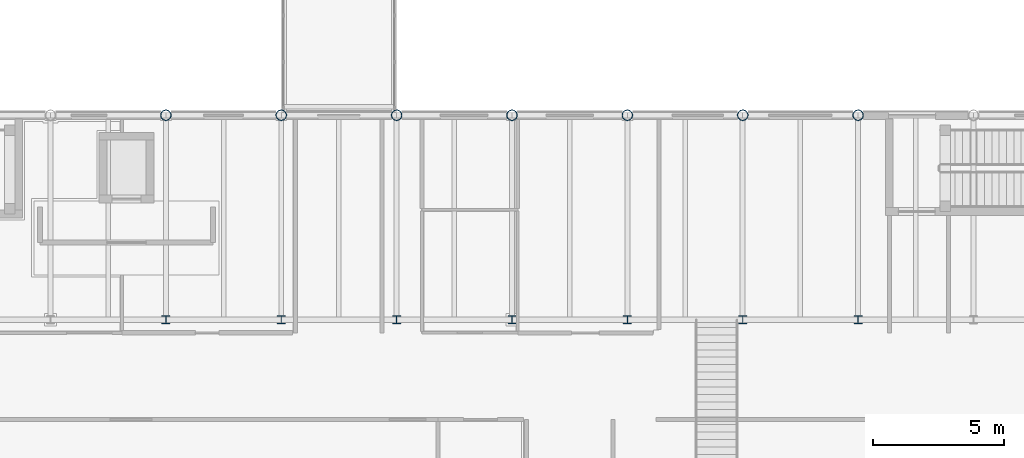
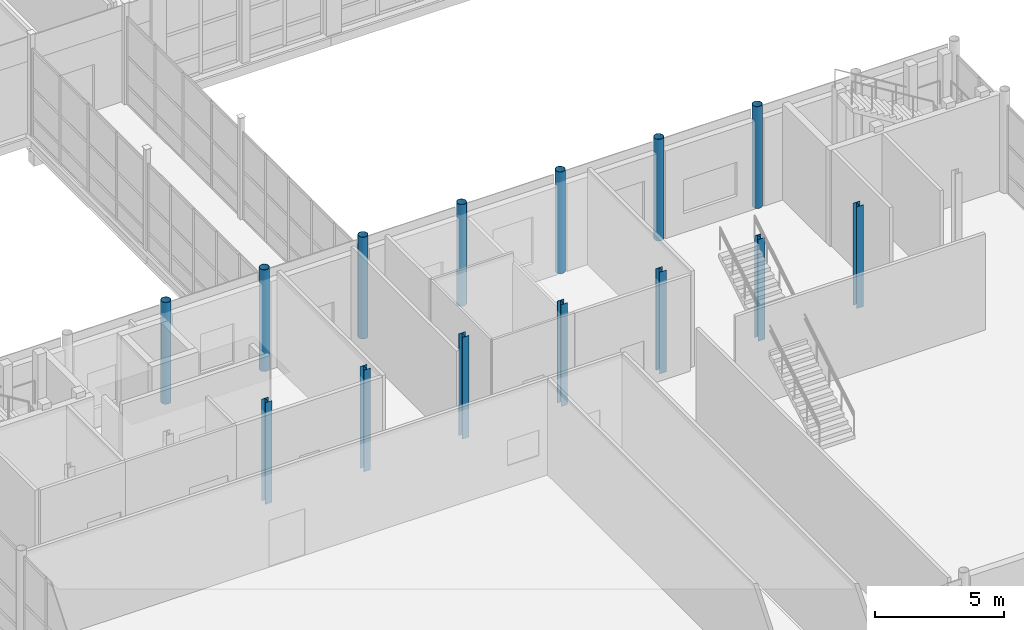
# One storey, part 14 of 131: 14 columns.
"""IFC4 building model written with IfcOpenShell, lengths in metres."""

from ifc_helpers import new_model, si_unit, direction, frame, origin, origin_2d, place, context, subcontext, project, spatial, hollow_circle, i_section, extrude, material, material_profile, profile_set, type_object, element, save


model = new_model("IFC4")

# Units and contexts
model_context = context("Model", 3, precision=1e-05, world=origin(), true_north=direction((0.0, 1.0)))
body_context = subcontext(model_context, "Body", "Model", "MODEL_VIEW")
ifc_project = project(units=[si_unit("LENGTHUNIT", "METRE"), si_unit("AREAUNIT", "SQUARE_METRE"), si_unit("VOLUMEUNIT", "CUBIC_METRE"), si_unit("PLANEANGLEUNIT", "RADIAN"), si_unit("MASSUNIT", "GRAM", prefix="KILO")], contexts=[model_context])

# Site, building, storey
site_placement = place(None, origin())
site = spatial("IfcSite", under=ifc_project, at=site_placement, CompositionType="ELEMENT")
building_placement = place(site_placement, origin())
building = spatial("IfcBuilding", under=site, at=building_placement, Name="Celorna Specialist Clinic", CompositionType="ELEMENT")
storey_placement = place(building_placement, origin())
storey = spatial("IfcBuildingStorey", under=building, at=storey_placement, Name="L00", CompositionType="ELEMENT", Elevation=0.0)

# Columns
ifc_material = material(Name="Steel S355", Category="steel")
ifc_material_profile_1 = material_profile(ifc_material, hollow_circle(Radius=0.203125, WallThickness=0.01611328125, at=origin_2d()), Name="CHS 406.4x16")
ifc_profile_set_1 = profile_set([ifc_material_profile_1], Name="Steel S355")
column_type_1 = type_object("IfcColumnType", Name="CT-12", PredefinedType="COLUMN", material=ifc_profile_set_1)
for number, where, z_axis, x_axis, name in (
    (1, (67.800048828125, 78.0, 0.0), (0.0, 0.0, 1.0), (1.0, 0.0, 0.0), "Column CT-12 L00 X10/YP"),
    (2, (72.199951171875, 78.0, 0.0), (0.0, 0.0, 1.0), (1.0, 0.0, 0.0), "Column CT-12 L00 X10/YP"),
    (3, (76.60009765625, 78.0, 0.0), (0.0, 0.0, 1.0), (1.0, 0.0, 0.0), "Column CT-12 L00 X11/YP"),
    (4, (81.0, 78.0, 0.0), (0.0, 0.0, 1.0), (1.0, 0.0, 0.0), "Column CT-12 L00 X11/YP"),
    (5, (85.39990234375, 78.0, 0.0), (0.0, 0.0, 1.0), (1.0, 0.0, 0.0), "Column CT-12 L00 X12/YP"),
    (6, (89.800048828125, 78.0, 0.0), (0.0, 0.0, 1.0), (1.0, 0.0, 0.0), "Column CT-12 L00 X13/YP"),
    (7, (94.199951171875, 78.0, 0.0), (0.0, 0.0, 1.0), (1.0, 0.0, 0.0), "Column CT-12 L00 X13/YP"),
):
    element("IfcColumn", number, at=place(storey_placement, frame(where, z_axis=z_axis, x_axis=x_axis)), inside=storey, type_object=column_type_1, Name=name, PredefinedType="COLUMN", context=body_context, shape_type="SweptSolid", body=[
        extrude(hollow_circle(Radius=0.203125, WallThickness=0.01611328125, at=origin_2d()), origin(), (0.0, 0.0, 1.0), 4.800048828125),
    ])
ifc_material_profile_2 = material_profile(ifc_material, i_section(OverallWidth=0.300048828125, OverallDepth=0.300048828125, WebThickness=0.010986328125, FlangeThickness=0.01904296875, at=origin_2d()), Name="HE 300 B")
ifc_profile_set_2 = profile_set([ifc_material_profile_2], Name="Steel S355")
column_type_2 = type_object("IfcColumnType", Name="CT-14", PredefinedType="COLUMN", material=ifc_profile_set_2)
for number, where, z_axis, x_axis, name in (
    (8, (67.800048828125, 70.199951171875, 0.0), (0.0, 0.0, 1.0), (1.0, 0.0, 0.0), "Column CT-14 L00 X10/YN"),
    (9, (72.199951171875, 70.199951171875, 0.0), (0.0, 0.0, 1.0), (1.0, 0.0, 0.0), "Column CT-14 L00 X10/YN"),
    (10, (76.60009765625, 70.199951171875, 0.0), (0.0, 0.0, 1.0), (1.0, 0.0, 0.0), "Column CT-14 L00 X11/YN"),
    (11, (81.0, 70.199951171875, 0.0), (0.0, 0.0, 1.0), (1.0, 0.0, 0.0), "Column CT-14 L00 X11/YN"),
    (12, (85.39990234375, 70.199951171875, 0.0), (0.0, 0.0, 1.0), (1.0, 0.0, 0.0), "Column CT-14 L00 X12/YN"),
    (13, (89.800048828125, 70.199951171875, 0.0), (0.0, 0.0, 1.0), (1.0, 0.0, 0.0), "Column CT-14 L00 X13/YN"),
    (14, (94.199951171875, 70.199951171875, 0.0), (0.0, 0.0, 1.0), (1.0, 0.0, 0.0), "Column CT-14 L00 X13/YN"),
):
    element("IfcColumn", number, at=place(storey_placement, frame(where, z_axis=z_axis, x_axis=x_axis)), inside=storey, type_object=column_type_2, Name=name, PredefinedType="COLUMN", context=body_context, shape_type="SweptSolid", body=[
        extrude(i_section(OverallWidth=0.300048828125, OverallDepth=0.300048828125, WebThickness=0.010986328125, FlangeThickness=0.01904296875, at=origin_2d()), origin(), (0.0, 0.0, 1.0), 4.800048828125),
    ])

save(model, "model.ifc")
